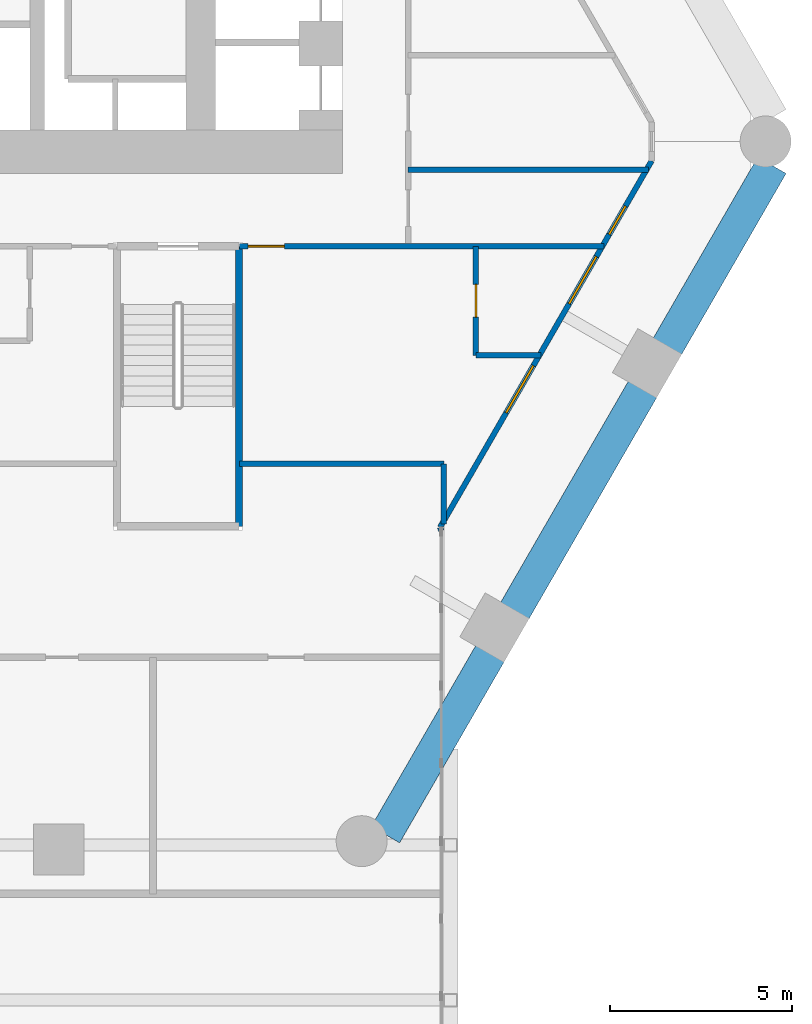
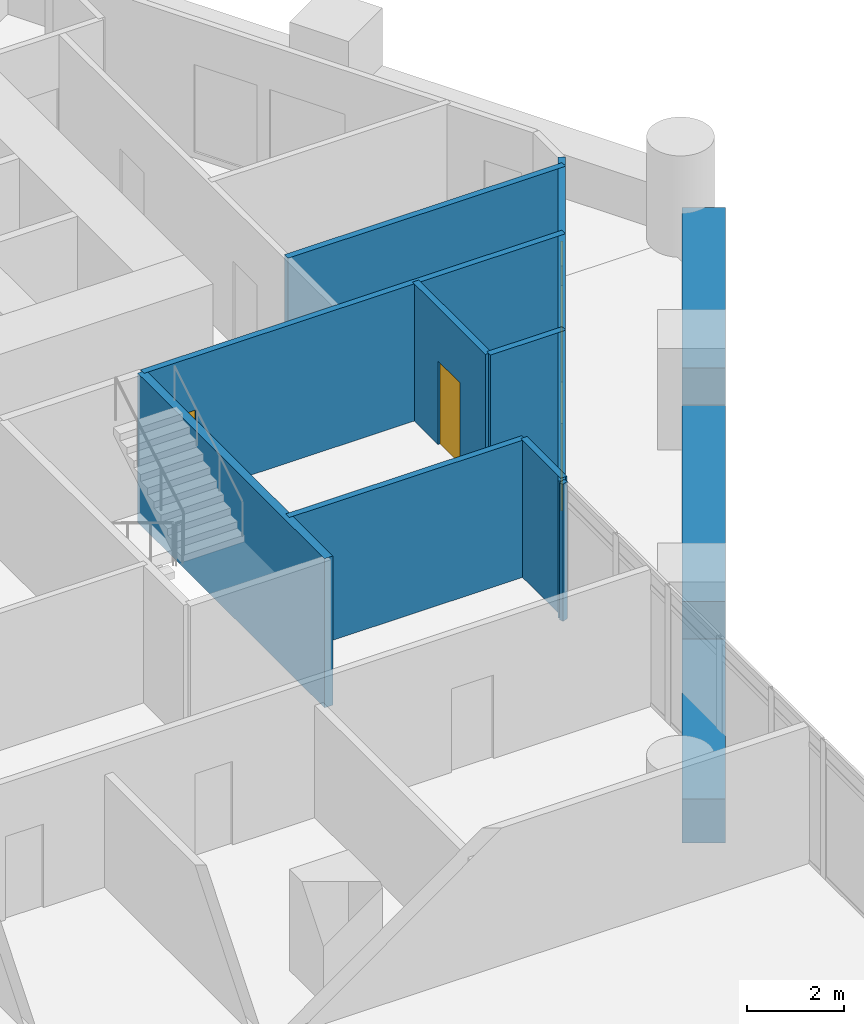
# One storey, part 31 of 38: 12 walls, 3 windows, 2 doors, 5 openings.
"""IFC4 building model written with IfcOpenShell, lengths in metres."""

from ifc_helpers import new_model, si_unit, direction, frame, frame_2d, origin, place, context, subcontext, project, spatial, rectangle, extrude, material, layer, layer_set, type_object, element, fill, save


model = new_model("IFC4")

# Units and contexts
model_context = context("Model", 3, precision=1e-05, world=origin(), true_north=direction((0.0, 1.0)))
body_context = subcontext(model_context, "Body", "Model", "MODEL_VIEW")
ifc_project = project(units=[si_unit("LENGTHUNIT", "METRE"), si_unit("AREAUNIT", "SQUARE_METRE"), si_unit("VOLUMEUNIT", "CUBIC_METRE"), si_unit("PLANEANGLEUNIT", "RADIAN"), si_unit("MASSUNIT", "GRAM", prefix="KILO")], contexts=[model_context])

# Site, building, storey
site_placement = place(None, origin())
site = spatial("IfcSite", under=ifc_project, at=site_placement, CompositionType="ELEMENT")
building_placement = place(site_placement, origin())
building = spatial("IfcBuilding", under=site, at=building_placement, Name="Ostrander Bayou Hotel Tower", CompositionType="ELEMENT")
storey_placement = place(building_placement, frame((0.0, 0.0, 65.5)))
storey = spatial("IfcBuildingStorey", under=building, at=storey_placement, Name="L16", CompositionType="ELEMENT", Elevation=65.5)

# Wall, openings, windows
ifc_material_1 = material(Name="Aluminium framed insulated wall", Category="aluminium")
ifc_layer_1 = layer(ifc_material_1, 0.14990234375)
ifc_layer_set_1 = layer_set([ifc_layer_1], Name="GW1 glass-line wall 150 mm")
wall_type_1 = type_object("IfcWallType", Name="GW1 glass-line wall 150 mm", PredefinedType="SOLIDWALL", material=ifc_layer_set_1)
wall_1_placement = place(storey_placement, frame((14.678955078125, -11.42529296875, 0.0), z_axis=(0.0, 0.0, 1.0), x_axis=(0.500010091595, 0.866019577321, 0.0)))
wall_1 = element("IfcWall", 1, at=wall_1_placement, inside=storey, type_object=wall_type_1, Name="GW1 L16 SE 1", PredefinedType="SOLIDWALL", context=body_context, shape_type="SweptSolid", body=[
    extrude(rectangle(XDim=11.633056640625, YDim=0.14990234375, at=frame_2d((5.81640625, 0.0))), origin(), (0.0, 0.0, 1.0), 3.449951171875),
])
opening_1_placement = place(wall_1_placement, frame((3.63232421875, 0.0, 0.14990234375)))
opening_1 = element("IfcOpeningElement", 2, at=opening_1_placement, cuts=wall_1, Name="Opening W11", PredefinedType="OPENING", context=body_context, shape_type="SweptSolid", body=[
    extrude(rectangle(XDim=1.5, YDim=2.199951171875, at=frame_2d((0.75, 1.10009765625))), frame((0.0, 0.074951171875, 0.0), z_axis=(0.0, -1.0, 0.0), x_axis=(1.0, 0.0, 0.0)), (0.0, 0.0, 1.0), 0.14990234375),
])
opening_2_placement = place(wall_1_placement, frame((9.29638671875, 0.0, 0.14990234375)))
opening_2 = element("IfcOpeningElement", 3, at=opening_2_placement, cuts=wall_1, Name="Opening W15", PredefinedType="OPENING", context=body_context, shape_type="SweptSolid", body=[
    extrude(rectangle(XDim=0.89990234375, YDim=2.199951171875, at=frame_2d((0.449951171875, 1.10009765625))), frame((0.0, 0.074951171875, 0.0), z_axis=(0.0, -1.0, 0.0), x_axis=(1.0, 0.0, 0.0)), (0.0, 0.0, 1.0), 0.14990234375),
])
opening_3_placement = place(wall_1_placement, frame((7.09619140625, 0.0, 0.14990234375)))
opening_3 = element("IfcOpeningElement", 4, at=opening_3_placement, cuts=wall_1, Name="Opening W11", PredefinedType="OPENING", context=body_context, shape_type="SweptSolid", body=[
    extrude(rectangle(XDim=1.5, YDim=2.199951171875, at=frame_2d((0.75, 1.10009765625))), frame((0.0, 0.074951171875, 0.0), z_axis=(0.0, -1.0, 0.0), x_axis=(1.0, 0.0, 0.0)), (0.0, 0.0, 1.0), 0.14990234375),
])
ifc_material_2 = material(Name="Aluminium and clear glass", Category="aluminium")
window_type_1 = type_object("IfcWindowType", Name="W11 fixed window 1500 mm, bath bay, zone 1", PartitioningType="SINGLE_PANEL", PredefinedType="WINDOW", material=ifc_material_2)
window_1_placement = place(opening_1_placement, origin())
window_1 = element("IfcWindow", 5, at=window_1_placement, inside=storey, type_object=window_type_1, Name="W11 L16 SE 3", OverallHeight=2.199951171875, OverallWidth=1.5, PartitioningType="SINGLE_PANEL", PredefinedType="WINDOW", context=body_context, shape_type="SweptSolid", body=[
    extrude(rectangle(XDim=1.5, YDim=2.199951171875, at=frame_2d((0.75, 1.10009765625))), frame((0.0, 0.030029296875, 0.0), z_axis=(0.0, -1.0, 0.0), x_axis=(1.0, 0.0, 0.0)), (0.0, 0.0, 1.0), 0.06005859375),
])
fill(opening_1, window_1)
window_2_placement = place(opening_3_placement, origin())
window_2 = element("IfcWindow", 6, at=window_2_placement, inside=storey, type_object=window_type_1, Name="W11 L16 SE 4", OverallHeight=2.199951171875, OverallWidth=1.5, PartitioningType="SINGLE_PANEL", PredefinedType="WINDOW", context=body_context, shape_type="SweptSolid", body=[
    extrude(rectangle(XDim=1.5, YDim=2.199951171875, at=frame_2d((0.75, 1.10009765625))), frame((0.0, 0.030029296875, 0.0), z_axis=(0.0, -1.0, 0.0), x_axis=(1.0, 0.0, 0.0)), (0.0, 0.0, 1.0), 0.06005859375),
])
fill(opening_3, window_2)
ifc_material_3 = material(Name="Aluminium and clear glass", Category="aluminium")
window_type_2 = type_object("IfcWindowType", Name="W15 window 900 mm, zone 1", PartitioningType="SINGLE_PANEL", PredefinedType="WINDOW", material=ifc_material_3)
window_3_placement = place(opening_2_placement, origin())
window_3 = element("IfcWindow", 7, at=window_3_placement, inside=storey, type_object=window_type_2, Name="W15 L16 SE 4", OverallHeight=2.199951171875, OverallWidth=0.89990234375, PartitioningType="SINGLE_PANEL", PredefinedType="WINDOW", context=body_context, shape_type="SweptSolid", body=[
    extrude(rectangle(XDim=0.89990234375, YDim=2.199951171875, at=frame_2d((0.449951171875, 1.10009765625))), frame((0.0, 0.030029296875, 0.0), z_axis=(0.0, -1.0, 0.0), x_axis=(1.0, 0.0, 0.0)), (0.0, 0.0, 1.0), 0.06005859375),
])
fill(opening_2, window_3)

# Walls
wall_2_placement = place(storey_placement, frame((14.678955078125, -11.42529296875, 0.0), z_axis=(0.0, 0.0, 1.0), x_axis=(0.338543167143, -0.940950861619, 0.0)))
element("IfcWall", 8, at=wall_2_placement, inside=storey, type_object=wall_type_1, Name="GW1 L16 bar joint 2", PredefinedType="SOLIDWALL", context=body_context, shape_type="SweptSolid", body=[
    extrude(rectangle(XDim=0.09814453125, YDim=0.14990234375, at=frame_2d((0.049072265625, 0.0))), origin(), (0.0, 0.0, 1.0), 3.449951171875),
])
ifc_material_4 = material(Name="Limestone masonry", Category="masonry")
ifc_layer_2 = layer(ifc_material_4, 0.89990234375)
ifc_layer_set_2 = layer_set([ifc_layer_2], Name="PA2 limestone parapet 900 mm")
wall_type_2 = type_object("IfcWallType", Name="PA2 limestone parapet 900 mm", PredefinedType="PARAPET", material=ifc_layer_set_2)
wall_3_placement = place(storey_placement, frame((13.177490234375, -19.875732421875, 0.0), z_axis=(0.0, 0.0, 1.0), x_axis=(0.500014818852, 0.866016847947, 0.0)))
element("IfcWall", 9, at=wall_3_placement, inside=storey, type_object=wall_type_2, Name="PA2 L16 SE-1", PredefinedType="PARAPET", context=body_context, shape_type="SweptSolid", body=[
    extrude(rectangle(XDim=5.758544921875, YDim=0.89990234375, at=frame_2d((2.87939453125, 0.0))), origin(), (0.0, 0.0, 1.0), 1.10009765625),
])
wall_4_placement = place(storey_placement, frame((16.726806640625, -13.72802734375, 0.0), z_axis=(0.0, 0.0, 1.0), x_axis=(0.499997206141, 0.866027016814, 0.0)))
element("IfcWall", 10, at=wall_4_placement, inside=storey, type_object=wall_type_2, Name="PA2 L16 SE-2", PredefinedType="PARAPET", context=body_context, shape_type="SweptSolid", body=[
    extrude(rectangle(XDim=7.05078125, YDim=0.89990234375, at=frame_2d((3.525390625, 0.0))), origin(), (0.0, 0.0, 1.0), 1.10009765625),
])
wall_5_placement = place(storey_placement, frame((20.92236328125, -6.46142578125, 0.0), z_axis=(0.0, 0.0, 1.0), x_axis=(0.499996461177, 0.866027446915, 0.0)))
element("IfcWall", 11, at=wall_5_placement, inside=storey, type_object=wall_type_2, Name="PA2 L16 SE-3", PredefinedType="PARAPET", context=body_context, shape_type="SweptSolid", body=[
    extrude(rectangle(XDim=5.7587890625, YDim=0.89990234375, at=frame_2d((2.87939453125, 0.0))), origin(), (0.0, 0.0, 1.0), 1.10009765625),
])
ifc_material_5 = material(Name="Gypsum board partition", Category="finish")
ifc_layer_3 = layer(ifc_material_5, 0.14990234375)
ifc_layer_set_3 = layer_set([ifc_layer_3], Name="PT8 service band wall 150 mm, 1 hour")
wall_type_3 = type_object("IfcWallType", Name="PT8 service band wall 150 mm, 1 hour", PredefinedType="PARTITIONING", material=ifc_layer_set_3)
wall_6_placement = place(storey_placement, frame((9.159912109375, -9.679931640625, 0.0), z_axis=(0.0, 0.0, 1.0), x_axis=(1.0, 0.0, 0.0)))
element("IfcWall", 12, at=wall_6_placement, inside=storey, type_object=wall_type_3, Name="gw:L16:003", PredefinedType="PARTITIONING", context=body_context, shape_type="SweptSolid", body=[
    extrude(rectangle(XDim=5.625, YDim=0.14990234375, at=frame_2d((2.8125, 0.0))), origin(), (0.0, 0.0, 1.0), 3.449951171875),
])
wall_7_placement = place(storey_placement, frame((15.6650390625, -6.699951171875, 0.0), z_axis=(0.0, 0.0, 1.0), x_axis=(1.0, 0.0, 0.0)))
element("IfcWall", 13, at=wall_7_placement, inside=storey, type_object=wall_type_3, Name="gw:L16:005", PredefinedType="PARTITIONING", context=body_context, shape_type="SweptSolid", body=[
    extrude(rectangle(XDim=1.7939453125, YDim=0.14990234375, at=frame_2d((0.89697265625, 0.0))), origin(), (0.0, 0.0, 1.0), 3.449951171875),
])

# Wall, opening, door
wall_8_placement = place(storey_placement, frame((9.159912109375, -3.699951171875, 0.0), z_axis=(0.0, 0.0, 1.0), x_axis=(1.0, 0.0, 0.0)))
wall_8 = element("IfcWall", 14, at=wall_8_placement, inside=storey, type_object=wall_type_3, Name="gw:L16:010", PredefinedType="PARTITIONING", context=body_context, shape_type="SweptSolid", body=[
    extrude(rectangle(XDim=10.031005859375, YDim=0.14990234375, at=frame_2d((5.015625, 0.0))), origin(), (0.0, 0.0, 1.0), 3.449951171875),
])
opening_4_placement = place(wall_8_placement, frame((0.239990234375, 0.0, 0.0)))
opening_4 = element("IfcOpeningElement", 15, at=opening_4_placement, cuts=wall_8, Name="Opening T16-405", PredefinedType="OPENING", context=body_context, shape_type="SweptSolid", body=[
    extrude(rectangle(XDim=1.0, YDim=2.10009765625, at=frame_2d((0.5, 1.050048828125))), frame((0.0, 0.074951171875, 0.0), z_axis=(0.0, -1.0, 0.0), x_axis=(1.0, 0.0, 0.0)), (0.0, 0.0, 1.0), 0.14990234375),
])
ifc_material_6 = material(Name="Timber door leaf", Category="wood")
door_type_1 = type_object("IfcDoorType", Name="D1 guest room door 1000 x 2100 mm, 30 minute", OperationType="SINGLE_SWING_LEFT", PredefinedType="DOOR", material=ifc_material_6)
door_1_placement = place(opening_4_placement, origin())
door_1 = element("IfcDoor", 16, at=door_1_placement, inside=storey, type_object=door_type_1, Name="dr:L16:405", OperationType="SINGLE_SWING_LEFT", OverallHeight=2.10009765625, OverallWidth=1.0, PredefinedType="DOOR", context=body_context, shape_type="SweptSolid", body=[
    extrude(rectangle(XDim=1.0, YDim=2.10009765625, at=frame_2d((0.5, 1.050048828125))), frame((0.0, 0.02490234375, 0.0), z_axis=(0.0, -1.0, 0.0), x_axis=(1.0, 0.0, 0.0)), (0.0, 0.0, 1.0), 0.050048828125),
])
fill(opening_4, door_1)

# Wall
wall_9_placement = place(storey_placement, frame((13.800048828125, -1.60009765625, 0.0), z_axis=(0.0, 0.0, 1.0), x_axis=(1.0, 0.0, 0.0)))
element("IfcWall", 17, at=wall_9_placement, inside=storey, type_object=wall_type_3, Name="gw:L16:012", PredefinedType="PARTITIONING", context=body_context, shape_type="SweptSolid", body=[
    extrude(rectangle(XDim=6.60400390625, YDim=0.14990234375, at=frame_2d((3.302001953125, 0.0))), origin(), (0.0, 0.0, 1.0), 3.449951171875),
])

# Wall, opening, door
wall_10_placement = place(storey_placement, frame((15.6650390625, -6.699951171875, 0.0), z_axis=(0.0, 0.0, 1.0), x_axis=(0.0, 1.0, 0.0)))
wall_10 = element("IfcWall", 18, at=wall_10_placement, inside=storey, type_object=wall_type_3, Name="gw:L16:018", PredefinedType="PARTITIONING", context=body_context, shape_type="SweptSolid", body=[
    extrude(rectangle(XDim=3.0, YDim=0.14990234375, at=frame_2d((1.5, 0.0))), origin(), (0.0, 0.0, 1.0), 3.449951171875),
])
opening_5_placement = place(wall_10_placement, frame((1.050048828125, 0.0, 0.0)))
opening_5 = element("IfcOpeningElement", 19, at=opening_5_placement, cuts=wall_10, Name="Opening T16-406", PredefinedType="OPENING", context=body_context, shape_type="SweptSolid", body=[
    extrude(rectangle(XDim=0.89990234375, YDim=2.10009765625, at=frame_2d((0.449951171875, 1.050048828125))), frame((0.0, 0.074951171875, 0.0), z_axis=(0.0, -1.0, 0.0), x_axis=(1.0, 0.0, 0.0)), (0.0, 0.0, 1.0), 0.14990234375),
])
ifc_material_7 = material(Name="Timber door leaf", Category="wood")
door_type_2 = type_object("IfcDoorType", Name="D14 bathroom door 900 x 2100 mm", OperationType="SINGLE_SWING_LEFT", PredefinedType="DOOR", material=ifc_material_7)
door_2_placement = place(opening_5_placement, origin())
door_2 = element("IfcDoor", 20, at=door_2_placement, inside=storey, type_object=door_type_2, Name="dr:L16:406", OperationType="SINGLE_SWING_RIGHT", OverallHeight=2.10009765625, OverallWidth=0.89990234375, PredefinedType="DOOR", context=body_context, shape_type="SweptSolid", body=[
    extrude(rectangle(XDim=0.89990234375, YDim=2.10009765625, at=frame_2d((0.449951171875, 1.050048828125))), frame((0.0, 0.02490234375, 0.0), z_axis=(0.0, -1.0, 0.0), x_axis=(1.0, 0.0, 0.0)), (0.0, 0.0, 1.0), 0.050048828125),
])
fill(opening_5, door_2)

# Walls
wall_11_placement = place(storey_placement, frame((14.784912109375, -11.33203125, 0.0), z_axis=(0.0, 0.0, 1.0), x_axis=(0.0, 1.0, 0.0)))
element("IfcWall", 21, at=wall_11_placement, inside=storey, type_object=wall_type_3, Name="gw:L16:019", PredefinedType="PARTITIONING", context=body_context, shape_type="SweptSolid", body=[
    extrude(rectangle(XDim=1.652099609375, YDim=0.14990234375, at=frame_2d((0.826171875, 0.0))), origin(), (0.0, 0.0, 1.0), 3.449951171875),
])
ifc_material_8 = material(Name="Concrete f'c 45 MPa", Category="concrete")
ifc_layer_4 = layer(ifc_material_8, 0.199951171875)
ifc_layer_set_4 = layer_set([ifc_layer_4], Name="SW5 stair enclosure wall 200 mm f'c 45 MPa")
wall_type_4 = type_object("IfcWallType", Name="SW5 stair enclosure wall 200 mm f'c 45 MPa", PredefinedType="SOLIDWALL", material=ifc_layer_set_4)
wall_12_placement = place(storey_placement, frame((9.14990234375, -3.699951171875, -0.300048828125), z_axis=(0.0, 0.0, 1.0), x_axis=(0.0, -1.0, 0.0)))
element("IfcWall", 22, at=wall_12_placement, inside=storey, type_object=wall_type_4, Name="cs:L16:017", PredefinedType="SOLIDWALL", context=body_context, shape_type="SweptSolid", body=[
    extrude(rectangle(XDim=7.699951171875, YDim=0.199951171875, at=frame_2d((3.85009765625, 0.0))), origin(), (0.0, 0.0, 1.0), 3.75),
])

save(model, "model.ifc")
